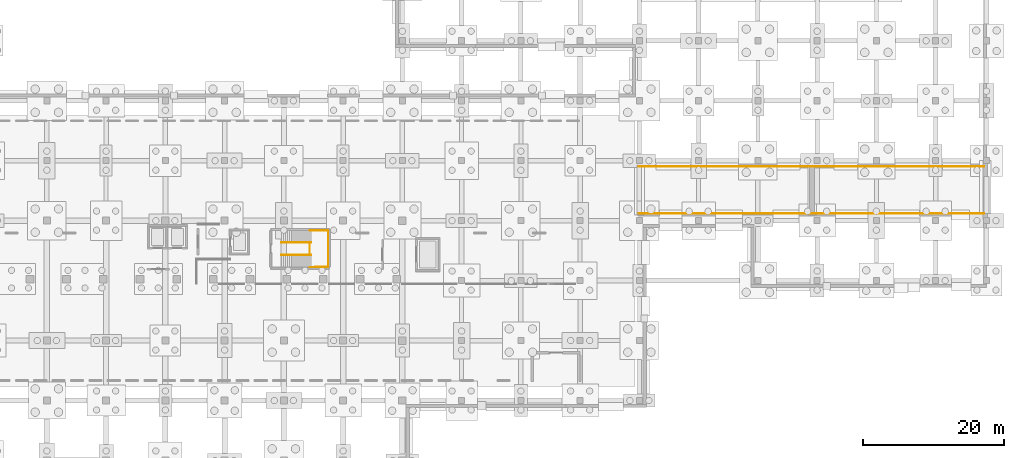
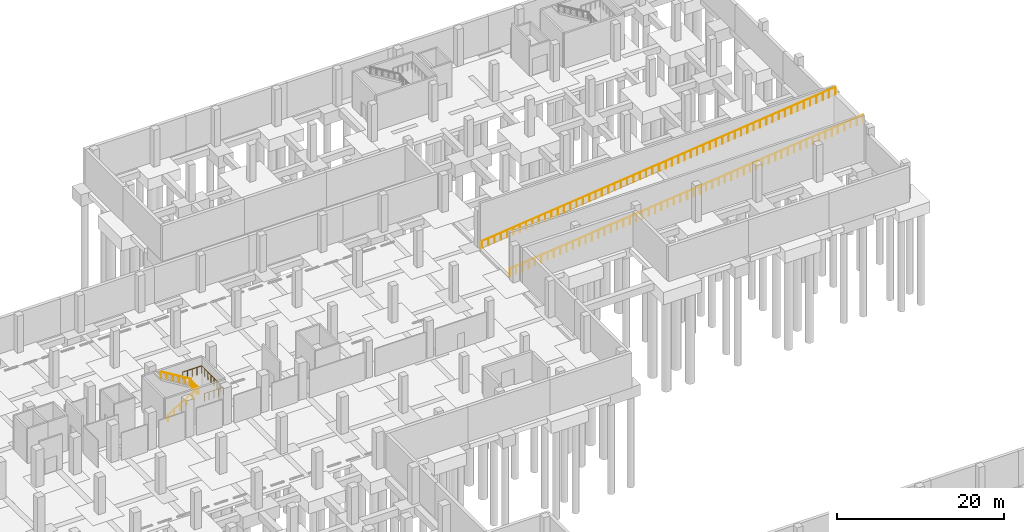
# One storey, part 32 of 34: 8 railings.
"""IFC4 building model written with IfcOpenShell, lengths in metres."""

from ifc_helpers import new_model, si_unit, direction, frame, origin, origin_2d, place, context, subcontext, project, spatial, circle, extrude, material, type_object, element, save


model = new_model("IFC4")

# Units and contexts
model_context = context("Model", 3, precision=1e-05, world=origin(), true_north=direction((0.0, 1.0)))
body_context = subcontext(model_context, "Body", "Model", "MODEL_VIEW")
ifc_project = project(units=[si_unit("LENGTHUNIT", "METRE"), si_unit("AREAUNIT", "SQUARE_METRE"), si_unit("VOLUMEUNIT", "CUBIC_METRE"), si_unit("PLANEANGLEUNIT", "RADIAN"), si_unit("MASSUNIT", "GRAM", prefix="KILO")], contexts=[model_context])

# Site, building, storey
site_placement = place(None, origin())
site = spatial("IfcSite", under=ifc_project, at=site_placement, CompositionType="ELEMENT")
building_placement = place(site_placement, origin())
building = spatial("IfcBuilding", under=site, at=building_placement, Name="Solvento Point Concert Hall", CompositionType="ELEMENT")
storey_placement = place(building_placement, frame((0.0, 0.0, -5.39990234375)))
storey = spatial("IfcBuildingStorey", under=building, at=storey_placement, Name="B01", CompositionType="ELEMENT", Elevation=-5.39990234375)

# Railings
ifc_material_1 = material(Name="Brushed Stainless Steel Balustrade", Category="steel")
railing_type_1 = type_object("IfcRailingType", Name="StairHandrail_915", PredefinedType="HANDRAIL", material=ifc_material_1)
railing_1_placement = place(storey_placement, frame((116.050048828125, 88.610107421875, 0.168701171875)))
element("IfcRailing", 1, at=railing_1_placement, inside=storey, type_object=railing_type_1, Name="Stair handrail HR-01 ST-03 B01 F1", PredefinedType="HANDRAIL", context=body_context, shape_type="SweptSolid", body=[
    extrude(circle(Radius=0.0224609375, at=origin_2d()), frame((0.0, 0.0, 0.892578125), z_axis=(0.856476492594, 0.0, 0.516186030065), x_axis=(0.0, 1.0, 0.0)), (0.0, 0.0, 1.0), 4.90380859375),
    extrude(circle(Radius=0.01904296875, at=origin_2d()), origin(), (0.0, 0.0, 1.0), 0.8701171875),
    extrude(circle(Radius=0.01904296875, at=origin_2d()), frame((0.840087890625, 0.0, 0.50634765625)), (0.0, 0.0, 1.0), 0.8701171875),
    extrude(circle(Radius=0.01904296875, at=origin_2d()), frame((1.679931640625, 0.0, 1.012451171875)), (0.0, 0.0, 1.0), 0.8701171875),
    extrude(circle(Radius=0.01904296875, at=origin_2d()), frame((2.52001953125, 0.0, 1.518798828125)), (0.0, 0.0, 1.0), 0.8701171875),
    extrude(circle(Radius=0.01904296875, at=origin_2d()), frame((3.35986328125, 0.0, 2.02490234375)), (0.0, 0.0, 1.0), 0.8701171875),
    extrude(circle(Radius=0.01904296875, at=origin_2d()), frame((4.199951171875, 0.0, 2.53125)), (0.0, 0.0, 1.0), 0.8701171875),
])
railing_2_placement = place(storey_placement, frame((120.25, 90.389892578125, 2.86865234375)))
element("IfcRailing", 2, at=railing_2_placement, inside=storey, type_object=railing_type_1, Name="Stair handrail HR-01 ST-03 B01 F2", PredefinedType="HANDRAIL", context=body_context, shape_type="SweptSolid", body=[
    extrude(circle(Radius=0.0224609375, at=origin_2d()), frame((0.0, 0.0, 0.892578125), z_axis=(-0.856476492594, 0.0, 0.516186030065), x_axis=(0.0, -1.0, 0.0)), (0.0, 0.0, 1.0), 4.90380859375),
    extrude(circle(Radius=0.01904296875, at=origin_2d()), origin(), (0.0, 0.0, 1.0), 0.8701171875),
    extrude(circle(Radius=0.01904296875, at=origin_2d()), frame((-0.840087890625, 0.0, 0.50634765625)), (0.0, 0.0, 1.0), 0.8701171875),
    extrude(circle(Radius=0.01904296875, at=origin_2d()), frame((-1.679931640625, 0.0, 1.012451171875)), (0.0, 0.0, 1.0), 0.8701171875),
    extrude(circle(Radius=0.01904296875, at=origin_2d()), frame((-2.52001953125, 0.0, 1.518798828125)), (0.0, 0.0, 1.0), 0.8701171875),
    extrude(circle(Radius=0.01904296875, at=origin_2d()), frame((-3.35986328125, 0.0, 2.02490234375)), (0.0, 0.0, 1.0), 0.8701171875),
    extrude(circle(Radius=0.01904296875, at=origin_2d()), frame((-4.199951171875, 0.0, 2.53125)), (0.0, 0.0, 1.0), 0.8701171875),
])
ifc_material_2 = material(Name="Brushed Stainless Steel Balustrade", Category="steel")
railing_type_2 = type_object("IfcRailingType", Name="StairWellGuard_1100", PredefinedType="BALUSTRADE", material=ifc_material_2)
railing_3_placement = place(storey_placement, frame((120.080078125, 86.89990234375, 2.699951171875)))
element("IfcRailing", 3, at=railing_3_placement, inside=storey, type_object=railing_type_2, Name="Half-landing perimeter guard GR-02 ST-03 B01", PredefinedType="BALUSTRADE", context=body_context, shape_type="SweptSolid", body=[
    extrude(circle(Radius=0.02392578125, at=origin_2d()), frame((0.0, 0.0, 1.09619140625), z_axis=(0.999970805684, 0.007641189644, 0.0), x_axis=(-0.007641189644, 0.999970805684, 0.0)), (0.0, 0.0, 1.0), 2.619873046875),
    extrude(circle(Radius=0.02392578125, at=origin_2d()), frame((2.619873046875, 0.02001953125, 1.09619140625), z_axis=(0.0, 1.0, 0.0), x_axis=(-1.0, 0.0, 0.0)), (0.0, 0.0, 1.0), 5.16015625),
    extrude(circle(Radius=0.02392578125, at=origin_2d()), frame((2.619873046875, 5.18017578125, 1.09619140625), z_axis=(-0.999970805684, 0.007641189644, 0.0), x_axis=(-0.007641189644, -0.999970805684, 0.0)), (0.0, 0.0, 1.0), 2.619873046875),
    extrude(circle(Radius=0.02099609375, at=origin_2d()), origin(), (0.0, 0.0, 1.0), 1.072021484375),
    extrude(circle(Radius=0.02099609375, at=origin_2d()), frame((0.655029296875, 0.0048828125, 0.0)), (0.0, 0.0, 1.0), 1.072021484375),
    extrude(circle(Radius=0.02099609375, at=origin_2d()), frame((1.31005859375, 0.010009765625, 0.0)), (0.0, 0.0, 1.0), 1.072021484375),
    extrude(circle(Radius=0.02099609375, at=origin_2d()), frame((1.96484375, 0.01513671875, 0.0)), (0.0, 0.0, 1.0), 1.072021484375),
    extrude(circle(Radius=0.02099609375, at=origin_2d()), frame((2.619873046875, 0.02001953125, 0.0)), (0.0, 0.0, 1.0), 1.072021484375),
    extrude(circle(Radius=0.02099609375, at=origin_2d()), frame((2.619873046875, 0.757080078125, 0.0)), (0.0, 0.0, 1.0), 1.072021484375),
    extrude(circle(Radius=0.02099609375, at=origin_2d()), frame((2.619873046875, 1.494384765625, 0.0)), (0.0, 0.0, 1.0), 1.072021484375),
    extrude(circle(Radius=0.02099609375, at=origin_2d()), frame((2.619873046875, 2.2314453125, 0.0)), (0.0, 0.0, 1.0), 1.072021484375),
    extrude(circle(Radius=0.02099609375, at=origin_2d()), frame((2.619873046875, 2.96875, 0.0)), (0.0, 0.0, 1.0), 1.072021484375),
    extrude(circle(Radius=0.02099609375, at=origin_2d()), frame((2.619873046875, 3.705810546875, 0.0)), (0.0, 0.0, 1.0), 1.072021484375),
    extrude(circle(Radius=0.02099609375, at=origin_2d()), frame((2.619873046875, 4.443115234375, 0.0)), (0.0, 0.0, 1.0), 1.072021484375),
    extrude(circle(Radius=0.02099609375, at=origin_2d()), frame((2.619873046875, 5.18017578125, 0.0)), (0.0, 0.0, 1.0), 1.072021484375),
    extrude(circle(Radius=0.02099609375, at=origin_2d()), frame((1.96484375, 5.18505859375, 0.0)), (0.0, 0.0, 1.0), 1.072021484375),
    extrude(circle(Radius=0.02099609375, at=origin_2d()), frame((1.31005859375, 5.190185546875, 0.0)), (0.0, 0.0, 1.0), 1.072021484375),
    extrude(circle(Radius=0.02099609375, at=origin_2d()), frame((0.655029296875, 5.1953125, 0.0)), (0.0, 0.0, 1.0), 1.072021484375),
    extrude(circle(Radius=0.02099609375, at=origin_2d()), frame((0.0, 5.2001953125, 0.0)), (0.0, 0.0, 1.0), 1.072021484375),
])
railing_4_placement = place(storey_placement, frame((120.080078125, 88.659912109375, 2.699951171875)))
element("IfcRailing", 4, at=railing_4_placement, inside=storey, type_object=railing_type_2, Name="Half-landing slot guard GR-02 ST-03 B01", PredefinedType="BALUSTRADE", context=body_context, shape_type="SweptSolid", body=[
    extrude(circle(Radius=0.02392578125, at=origin_2d()), frame((0.0, 0.0, 1.09619140625), z_axis=(0.0, 1.0, 0.0), x_axis=(-1.0, 0.0, 0.0)), (0.0, 0.0, 1.0), 1.68017578125),
    extrude(circle(Radius=0.02099609375, at=origin_2d()), origin(), (0.0, 0.0, 1.0), 1.072021484375),
    extrude(circle(Radius=0.02099609375, at=origin_2d()), frame((0.0, 0.56005859375, 0.0)), (0.0, 0.0, 1.0), 1.072021484375),
    extrude(circle(Radius=0.02099609375, at=origin_2d()), frame((0.0, 1.1201171875, 0.0)), (0.0, 0.0, 1.0), 1.072021484375),
    extrude(circle(Radius=0.02099609375, at=origin_2d()), frame((0.0, 1.68017578125, 0.0)), (0.0, 0.0, 1.0), 1.072021484375),
])
ifc_material_3 = material(Name="Brushed Stainless Steel Balustrade", Category="steel")
railing_type_3 = type_object("IfcRailingType", Name="TerraceBalustrade_1100", PredefinedType="BALUSTRADE", material=ifc_material_3)
railing_5_placement = place(storey_placement, frame((166.75, 94.510009765625, 0.0)))
element("IfcRailing", 5, at=railing_5_placement, inside=storey, type_object=railing_type_3, Name="Vehicle ramp lower guard GR-01 S", PredefinedType="BALUSTRADE", context=body_context, shape_type="SweptSolid", body=[
    extrude(circle(Radius=0.02392578125, at=origin_2d()), frame((0.0, 0.0, 1.1259765625), z_axis=(0.993970363578, 0.0, 0.109649059858), x_axis=(0.0, 1.0, 0.0)), (0.0, 0.0, 1.0), 24.62353515625),
    extrude(circle(Radius=0.02099609375, at=origin_2d()), origin(), (0.0, 0.0, 1.0), 1.101806640625),
    extrude(circle(Radius=0.02099609375, at=origin_2d()), frame((0.8740234375, 0.0, 0.096435546875)), (0.0, 0.0, 1.0), 1.101806640625),
    extrude(circle(Radius=0.02099609375, at=origin_2d()), frame((1.748291015625, 0.0, 0.19287109375)), (0.0, 0.0, 1.0), 1.101806640625),
    extrude(circle(Radius=0.02099609375, at=origin_2d()), frame((2.622314453125, 0.0, 0.289306640625)), (0.0, 0.0, 1.0), 1.101806640625),
    extrude(circle(Radius=0.02099609375, at=origin_2d()), frame((3.496337890625, 0.0, 0.3857421875)), (0.0, 0.0, 1.0), 1.101806640625),
    extrude(circle(Radius=0.02099609375, at=origin_2d()), frame((4.37060546875, 0.0, 0.482177734375)), (0.0, 0.0, 1.0), 1.101806640625),
    extrude(circle(Radius=0.02099609375, at=origin_2d()), frame((5.24462890625, 0.0, 0.57861328125)), (0.0, 0.0, 1.0), 1.101806640625),
    extrude(circle(Radius=0.02099609375, at=origin_2d()), frame((6.11865234375, 0.0, 0.675048828125)), (0.0, 0.0, 1.0), 1.101806640625),
    extrude(circle(Radius=0.02099609375, at=origin_2d()), frame((6.992919921875, 0.0, 0.771484375)), (0.0, 0.0, 1.0), 1.101806640625),
    extrude(circle(Radius=0.02099609375, at=origin_2d()), frame((7.866943359375, 0.0, 0.867919921875)), (0.0, 0.0, 1.0), 1.101806640625),
    extrude(circle(Radius=0.02099609375, at=origin_2d()), frame((8.7412109375, 0.0, 0.96435546875)), (0.0, 0.0, 1.0), 1.101806640625),
    extrude(circle(Radius=0.02099609375, at=origin_2d()), frame((9.615234375, 0.0, 1.060791015625)), (0.0, 0.0, 1.0), 1.101806640625),
    extrude(circle(Radius=0.02099609375, at=origin_2d()), frame((10.4892578125, 0.0, 1.1572265625)), (0.0, 0.0, 1.0), 1.101806640625),
    extrude(circle(Radius=0.02099609375, at=origin_2d()), frame((11.363525390625, 0.0, 1.253662109375)), (0.0, 0.0, 1.0), 1.101806640625),
    extrude(circle(Radius=0.02099609375, at=origin_2d()), frame((12.237548828125, 0.0, 1.35009765625)), (0.0, 0.0, 1.0), 1.101806640625),
    extrude(circle(Radius=0.02099609375, at=origin_2d()), frame((13.111572265625, 0.0, 1.4462890625)), (0.0, 0.0, 1.0), 1.101806640625),
    extrude(circle(Radius=0.02099609375, at=origin_2d()), frame((13.98583984375, 0.0, 1.542724609375)), (0.0, 0.0, 1.0), 1.101806640625),
    extrude(circle(Radius=0.02099609375, at=origin_2d()), frame((14.85986328125, 0.0, 1.63916015625)), (0.0, 0.0, 1.0), 1.101806640625),
    extrude(circle(Radius=0.02099609375, at=origin_2d()), frame((15.73388671875, 0.0, 1.735595703125)), (0.0, 0.0, 1.0), 1.101806640625),
    extrude(circle(Radius=0.02099609375, at=origin_2d()), frame((16.608154296875, 0.0, 1.83203125)), (0.0, 0.0, 1.0), 1.101806640625),
    extrude(circle(Radius=0.02099609375, at=origin_2d()), frame((17.482177734375, 0.0, 1.928466796875)), (0.0, 0.0, 1.0), 1.101806640625),
    extrude(circle(Radius=0.02099609375, at=origin_2d()), frame((18.3564453125, 0.0, 2.02490234375)), (0.0, 0.0, 1.0), 1.101806640625),
    extrude(circle(Radius=0.02099609375, at=origin_2d()), frame((19.23046875, 0.0, 2.121337890625)), (0.0, 0.0, 1.0), 1.101806640625),
    extrude(circle(Radius=0.02099609375, at=origin_2d()), frame((20.1044921875, 0.0, 2.2177734375)), (0.0, 0.0, 1.0), 1.101806640625),
    extrude(circle(Radius=0.02099609375, at=origin_2d()), frame((20.978759765625, 0.0, 2.314208984375)), (0.0, 0.0, 1.0), 1.101806640625),
    extrude(circle(Radius=0.02099609375, at=origin_2d()), frame((21.852783203125, 0.0, 2.41064453125)), (0.0, 0.0, 1.0), 1.101806640625),
    extrude(circle(Radius=0.02099609375, at=origin_2d()), frame((22.726806640625, 0.0, 2.507080078125)), (0.0, 0.0, 1.0), 1.101806640625),
    extrude(circle(Radius=0.02099609375, at=origin_2d()), frame((23.60107421875, 0.0, 2.603515625)), (0.0, 0.0, 1.0), 1.101806640625),
    extrude(circle(Radius=0.02099609375, at=origin_2d()), frame((24.47509765625, 0.0, 2.699951171875)), (0.0, 0.0, 1.0), 1.101806640625),
])
railing_6_placement = place(storey_placement, frame((191.324951171875, 94.510009765625, 2.699951171875)))
element("IfcRailing", 6, at=railing_6_placement, inside=storey, type_object=railing_type_3, Name="Vehicle ramp upper guard GR-01 S", PredefinedType="BALUSTRADE", context=body_context, shape_type="SweptSolid", body=[
    extrude(circle(Radius=0.02392578125, at=origin_2d()), frame((0.0, 0.0, 1.1259765625), z_axis=(0.993896379845, 0.0, 0.110317660106), x_axis=(0.0, 1.0, 0.0)), (0.0, 0.0, 1.0), 24.474365234375),
    extrude(circle(Radius=0.02099609375, at=origin_2d()), origin(), (0.0, 0.0, 1.0), 1.101806640625),
    extrude(circle(Radius=0.02099609375, at=origin_2d()), frame((0.86865234375, 0.0, 0.096435546875)), (0.0, 0.0, 1.0), 1.101806640625),
    extrude(circle(Radius=0.02099609375, at=origin_2d()), frame((1.737548828125, 0.0, 0.19287109375)), (0.0, 0.0, 1.0), 1.101806640625),
    extrude(circle(Radius=0.02099609375, at=origin_2d()), frame((2.606201171875, 0.0, 0.289306640625)), (0.0, 0.0, 1.0), 1.101806640625),
    extrude(circle(Radius=0.02099609375, at=origin_2d()), frame((3.47509765625, 0.0, 0.3857421875)), (0.0, 0.0, 1.0), 1.101806640625),
    extrude(circle(Radius=0.02099609375, at=origin_2d()), frame((4.34375, 0.0, 0.482177734375)), (0.0, 0.0, 1.0), 1.101806640625),
    extrude(circle(Radius=0.02099609375, at=origin_2d()), frame((5.21240234375, 0.0, 0.57861328125)), (0.0, 0.0, 1.0), 1.101806640625),
    extrude(circle(Radius=0.02099609375, at=origin_2d()), frame((6.081298828125, 0.0, 0.675048828125)), (0.0, 0.0, 1.0), 1.101806640625),
    extrude(circle(Radius=0.02099609375, at=origin_2d()), frame((6.949951171875, 0.0, 0.771484375)), (0.0, 0.0, 1.0), 1.101806640625),
    extrude(circle(Radius=0.02099609375, at=origin_2d()), frame((7.81884765625, 0.0, 0.867919921875)), (0.0, 0.0, 1.0), 1.101806640625),
    extrude(circle(Radius=0.02099609375, at=origin_2d()), frame((8.6875, 0.0, 0.96435546875)), (0.0, 0.0, 1.0), 1.101806640625),
    extrude(circle(Radius=0.02099609375, at=origin_2d()), frame((9.55615234375, 0.0, 1.060791015625)), (0.0, 0.0, 1.0), 1.101806640625),
    extrude(circle(Radius=0.02099609375, at=origin_2d()), frame((10.425048828125, 0.0, 1.1572265625)), (0.0, 0.0, 1.0), 1.101806640625),
    extrude(circle(Radius=0.02099609375, at=origin_2d()), frame((11.293701171875, 0.0, 1.253662109375)), (0.0, 0.0, 1.0), 1.101806640625),
    extrude(circle(Radius=0.02099609375, at=origin_2d()), frame((12.16259765625, 0.0, 1.35009765625)), (0.0, 0.0, 1.0), 1.101806640625),
    extrude(circle(Radius=0.02099609375, at=origin_2d()), frame((13.03125, 0.0, 1.4462890625)), (0.0, 0.0, 1.0), 1.101806640625),
    extrude(circle(Radius=0.02099609375, at=origin_2d()), frame((13.89990234375, 0.0, 1.542724609375)), (0.0, 0.0, 1.0), 1.101806640625),
    extrude(circle(Radius=0.02099609375, at=origin_2d()), frame((14.768798828125, 0.0, 1.63916015625)), (0.0, 0.0, 1.0), 1.101806640625),
    extrude(circle(Radius=0.02099609375, at=origin_2d()), frame((15.637451171875, 0.0, 1.735595703125)), (0.0, 0.0, 1.0), 1.101806640625),
    extrude(circle(Radius=0.02099609375, at=origin_2d()), frame((16.506103515625, 0.0, 1.83203125)), (0.0, 0.0, 1.0), 1.101806640625),
    extrude(circle(Radius=0.02099609375, at=origin_2d()), frame((17.375, 0.0, 1.928466796875)), (0.0, 0.0, 1.0), 1.101806640625),
    extrude(circle(Radius=0.02099609375, at=origin_2d()), frame((18.24365234375, 0.0, 2.02490234375)), (0.0, 0.0, 1.0), 1.101806640625),
    extrude(circle(Radius=0.02099609375, at=origin_2d()), frame((19.112548828125, 0.0, 2.121337890625)), (0.0, 0.0, 1.0), 1.101806640625),
    extrude(circle(Radius=0.02099609375, at=origin_2d()), frame((19.981201171875, 0.0, 2.2177734375)), (0.0, 0.0, 1.0), 1.101806640625),
    extrude(circle(Radius=0.02099609375, at=origin_2d()), frame((20.849853515625, 0.0, 2.314208984375)), (0.0, 0.0, 1.0), 1.101806640625),
    extrude(circle(Radius=0.02099609375, at=origin_2d()), frame((21.71875, 0.0, 2.41064453125)), (0.0, 0.0, 1.0), 1.101806640625),
    extrude(circle(Radius=0.02099609375, at=origin_2d()), frame((22.58740234375, 0.0, 2.507080078125)), (0.0, 0.0, 1.0), 1.101806640625),
    extrude(circle(Radius=0.02099609375, at=origin_2d()), frame((23.456298828125, 0.0, 2.603515625)), (0.0, 0.0, 1.0), 1.101806640625),
    extrude(circle(Radius=0.02099609375, at=origin_2d()), frame((24.324951171875, 0.0, 2.699951171875)), (0.0, 0.0, 1.0), 1.101806640625),
])
railing_7_placement = place(storey_placement, frame((166.75, 101.18994140625, 0.0)))
element("IfcRailing", 7, at=railing_7_placement, inside=storey, type_object=railing_type_3, Name="Vehicle ramp lower guard GR-01 N", PredefinedType="BALUSTRADE", context=body_context, shape_type="SweptSolid", body=[
    extrude(circle(Radius=0.02392578125, at=origin_2d()), frame((0.0, 0.0, 1.1259765625), z_axis=(0.993970363578, 0.0, 0.109649059858), x_axis=(0.0, 1.0, 0.0)), (0.0, 0.0, 1.0), 24.62353515625),
    extrude(circle(Radius=0.02099609375, at=origin_2d()), origin(), (0.0, 0.0, 1.0), 1.101806640625),
    extrude(circle(Radius=0.02099609375, at=origin_2d()), frame((0.8740234375, 0.0, 0.096435546875)), (0.0, 0.0, 1.0), 1.101806640625),
    extrude(circle(Radius=0.02099609375, at=origin_2d()), frame((1.748291015625, 0.0, 0.19287109375)), (0.0, 0.0, 1.0), 1.101806640625),
    extrude(circle(Radius=0.02099609375, at=origin_2d()), frame((2.622314453125, 0.0, 0.289306640625)), (0.0, 0.0, 1.0), 1.101806640625),
    extrude(circle(Radius=0.02099609375, at=origin_2d()), frame((3.496337890625, 0.0, 0.3857421875)), (0.0, 0.0, 1.0), 1.101806640625),
    extrude(circle(Radius=0.02099609375, at=origin_2d()), frame((4.37060546875, 0.0, 0.482177734375)), (0.0, 0.0, 1.0), 1.101806640625),
    extrude(circle(Radius=0.02099609375, at=origin_2d()), frame((5.24462890625, 0.0, 0.57861328125)), (0.0, 0.0, 1.0), 1.101806640625),
    extrude(circle(Radius=0.02099609375, at=origin_2d()), frame((6.11865234375, 0.0, 0.675048828125)), (0.0, 0.0, 1.0), 1.101806640625),
    extrude(circle(Radius=0.02099609375, at=origin_2d()), frame((6.992919921875, 0.0, 0.771484375)), (0.0, 0.0, 1.0), 1.101806640625),
    extrude(circle(Radius=0.02099609375, at=origin_2d()), frame((7.866943359375, 0.0, 0.867919921875)), (0.0, 0.0, 1.0), 1.101806640625),
    extrude(circle(Radius=0.02099609375, at=origin_2d()), frame((8.7412109375, 0.0, 0.96435546875)), (0.0, 0.0, 1.0), 1.101806640625),
    extrude(circle(Radius=0.02099609375, at=origin_2d()), frame((9.615234375, 0.0, 1.060791015625)), (0.0, 0.0, 1.0), 1.101806640625),
    extrude(circle(Radius=0.02099609375, at=origin_2d()), frame((10.4892578125, 0.0, 1.1572265625)), (0.0, 0.0, 1.0), 1.101806640625),
    extrude(circle(Radius=0.02099609375, at=origin_2d()), frame((11.363525390625, 0.0, 1.253662109375)), (0.0, 0.0, 1.0), 1.101806640625),
    extrude(circle(Radius=0.02099609375, at=origin_2d()), frame((12.237548828125, 0.0, 1.35009765625)), (0.0, 0.0, 1.0), 1.101806640625),
    extrude(circle(Radius=0.02099609375, at=origin_2d()), frame((13.111572265625, 0.0, 1.4462890625)), (0.0, 0.0, 1.0), 1.101806640625),
    extrude(circle(Radius=0.02099609375, at=origin_2d()), frame((13.98583984375, 0.0, 1.542724609375)), (0.0, 0.0, 1.0), 1.101806640625),
    extrude(circle(Radius=0.02099609375, at=origin_2d()), frame((14.85986328125, 0.0, 1.63916015625)), (0.0, 0.0, 1.0), 1.101806640625),
    extrude(circle(Radius=0.02099609375, at=origin_2d()), frame((15.73388671875, 0.0, 1.735595703125)), (0.0, 0.0, 1.0), 1.101806640625),
    extrude(circle(Radius=0.02099609375, at=origin_2d()), frame((16.608154296875, 0.0, 1.83203125)), (0.0, 0.0, 1.0), 1.101806640625),
    extrude(circle(Radius=0.02099609375, at=origin_2d()), frame((17.482177734375, 0.0, 1.928466796875)), (0.0, 0.0, 1.0), 1.101806640625),
    extrude(circle(Radius=0.02099609375, at=origin_2d()), frame((18.3564453125, 0.0, 2.02490234375)), (0.0, 0.0, 1.0), 1.101806640625),
    extrude(circle(Radius=0.02099609375, at=origin_2d()), frame((19.23046875, 0.0, 2.121337890625)), (0.0, 0.0, 1.0), 1.101806640625),
    extrude(circle(Radius=0.02099609375, at=origin_2d()), frame((20.1044921875, 0.0, 2.2177734375)), (0.0, 0.0, 1.0), 1.101806640625),
    extrude(circle(Radius=0.02099609375, at=origin_2d()), frame((20.978759765625, 0.0, 2.314208984375)), (0.0, 0.0, 1.0), 1.101806640625),
    extrude(circle(Radius=0.02099609375, at=origin_2d()), frame((21.852783203125, 0.0, 2.41064453125)), (0.0, 0.0, 1.0), 1.101806640625),
    extrude(circle(Radius=0.02099609375, at=origin_2d()), frame((22.726806640625, 0.0, 2.507080078125)), (0.0, 0.0, 1.0), 1.101806640625),
    extrude(circle(Radius=0.02099609375, at=origin_2d()), frame((23.60107421875, 0.0, 2.603515625)), (0.0, 0.0, 1.0), 1.101806640625),
    extrude(circle(Radius=0.02099609375, at=origin_2d()), frame((24.47509765625, 0.0, 2.699951171875)), (0.0, 0.0, 1.0), 1.101806640625),
])
railing_8_placement = place(storey_placement, frame((191.324951171875, 101.18994140625, 2.699951171875)))
element("IfcRailing", 8, at=railing_8_placement, inside=storey, type_object=railing_type_3, Name="Vehicle ramp upper guard GR-01 N", PredefinedType="BALUSTRADE", context=body_context, shape_type="SweptSolid", body=[
    extrude(circle(Radius=0.02392578125, at=origin_2d()), frame((0.0, 0.0, 1.1259765625), z_axis=(0.993896379845, 0.0, 0.110317660106), x_axis=(0.0, 1.0, 0.0)), (0.0, 0.0, 1.0), 24.474365234375),
    extrude(circle(Radius=0.02099609375, at=origin_2d()), origin(), (0.0, 0.0, 1.0), 1.101806640625),
    extrude(circle(Radius=0.02099609375, at=origin_2d()), frame((0.86865234375, 0.0, 0.096435546875)), (0.0, 0.0, 1.0), 1.101806640625),
    extrude(circle(Radius=0.02099609375, at=origin_2d()), frame((1.737548828125, 0.0, 0.19287109375)), (0.0, 0.0, 1.0), 1.101806640625),
    extrude(circle(Radius=0.02099609375, at=origin_2d()), frame((2.606201171875, 0.0, 0.289306640625)), (0.0, 0.0, 1.0), 1.101806640625),
    extrude(circle(Radius=0.02099609375, at=origin_2d()), frame((3.47509765625, 0.0, 0.3857421875)), (0.0, 0.0, 1.0), 1.101806640625),
    extrude(circle(Radius=0.02099609375, at=origin_2d()), frame((4.34375, 0.0, 0.482177734375)), (0.0, 0.0, 1.0), 1.101806640625),
    extrude(circle(Radius=0.02099609375, at=origin_2d()), frame((5.21240234375, 0.0, 0.57861328125)), (0.0, 0.0, 1.0), 1.101806640625),
    extrude(circle(Radius=0.02099609375, at=origin_2d()), frame((6.081298828125, 0.0, 0.675048828125)), (0.0, 0.0, 1.0), 1.101806640625),
    extrude(circle(Radius=0.02099609375, at=origin_2d()), frame((6.949951171875, 0.0, 0.771484375)), (0.0, 0.0, 1.0), 1.101806640625),
    extrude(circle(Radius=0.02099609375, at=origin_2d()), frame((7.81884765625, 0.0, 0.867919921875)), (0.0, 0.0, 1.0), 1.101806640625),
    extrude(circle(Radius=0.02099609375, at=origin_2d()), frame((8.6875, 0.0, 0.96435546875)), (0.0, 0.0, 1.0), 1.101806640625),
    extrude(circle(Radius=0.02099609375, at=origin_2d()), frame((9.55615234375, 0.0, 1.060791015625)), (0.0, 0.0, 1.0), 1.101806640625),
    extrude(circle(Radius=0.02099609375, at=origin_2d()), frame((10.425048828125, 0.0, 1.1572265625)), (0.0, 0.0, 1.0), 1.101806640625),
    extrude(circle(Radius=0.02099609375, at=origin_2d()), frame((11.293701171875, 0.0, 1.253662109375)), (0.0, 0.0, 1.0), 1.101806640625),
    extrude(circle(Radius=0.02099609375, at=origin_2d()), frame((12.16259765625, 0.0, 1.35009765625)), (0.0, 0.0, 1.0), 1.101806640625),
    extrude(circle(Radius=0.02099609375, at=origin_2d()), frame((13.03125, 0.0, 1.4462890625)), (0.0, 0.0, 1.0), 1.101806640625),
    extrude(circle(Radius=0.02099609375, at=origin_2d()), frame((13.89990234375, 0.0, 1.542724609375)), (0.0, 0.0, 1.0), 1.101806640625),
    extrude(circle(Radius=0.02099609375, at=origin_2d()), frame((14.768798828125, 0.0, 1.63916015625)), (0.0, 0.0, 1.0), 1.101806640625),
    extrude(circle(Radius=0.02099609375, at=origin_2d()), frame((15.637451171875, 0.0, 1.735595703125)), (0.0, 0.0, 1.0), 1.101806640625),
    extrude(circle(Radius=0.02099609375, at=origin_2d()), frame((16.506103515625, 0.0, 1.83203125)), (0.0, 0.0, 1.0), 1.101806640625),
    extrude(circle(Radius=0.02099609375, at=origin_2d()), frame((17.375, 0.0, 1.928466796875)), (0.0, 0.0, 1.0), 1.101806640625),
    extrude(circle(Radius=0.02099609375, at=origin_2d()), frame((18.24365234375, 0.0, 2.02490234375)), (0.0, 0.0, 1.0), 1.101806640625),
    extrude(circle(Radius=0.02099609375, at=origin_2d()), frame((19.112548828125, 0.0, 2.121337890625)), (0.0, 0.0, 1.0), 1.101806640625),
    extrude(circle(Radius=0.02099609375, at=origin_2d()), frame((19.981201171875, 0.0, 2.2177734375)), (0.0, 0.0, 1.0), 1.101806640625),
    extrude(circle(Radius=0.02099609375, at=origin_2d()), frame((20.849853515625, 0.0, 2.314208984375)), (0.0, 0.0, 1.0), 1.101806640625),
    extrude(circle(Radius=0.02099609375, at=origin_2d()), frame((21.71875, 0.0, 2.41064453125)), (0.0, 0.0, 1.0), 1.101806640625),
    extrude(circle(Radius=0.02099609375, at=origin_2d()), frame((22.58740234375, 0.0, 2.507080078125)), (0.0, 0.0, 1.0), 1.101806640625),
    extrude(circle(Radius=0.02099609375, at=origin_2d()), frame((23.456298828125, 0.0, 2.603515625)), (0.0, 0.0, 1.0), 1.101806640625),
    extrude(circle(Radius=0.02099609375, at=origin_2d()), frame((24.324951171875, 0.0, 2.699951171875)), (0.0, 0.0, 1.0), 1.101806640625),
])

save(model, "model.ifc")
